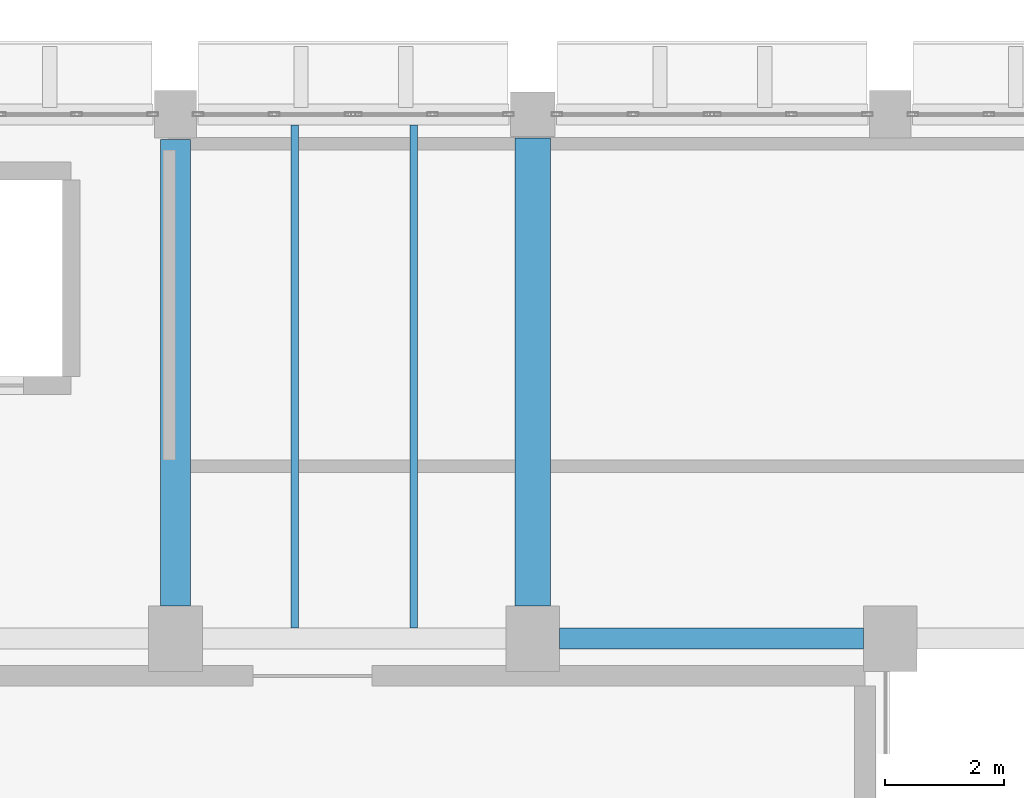
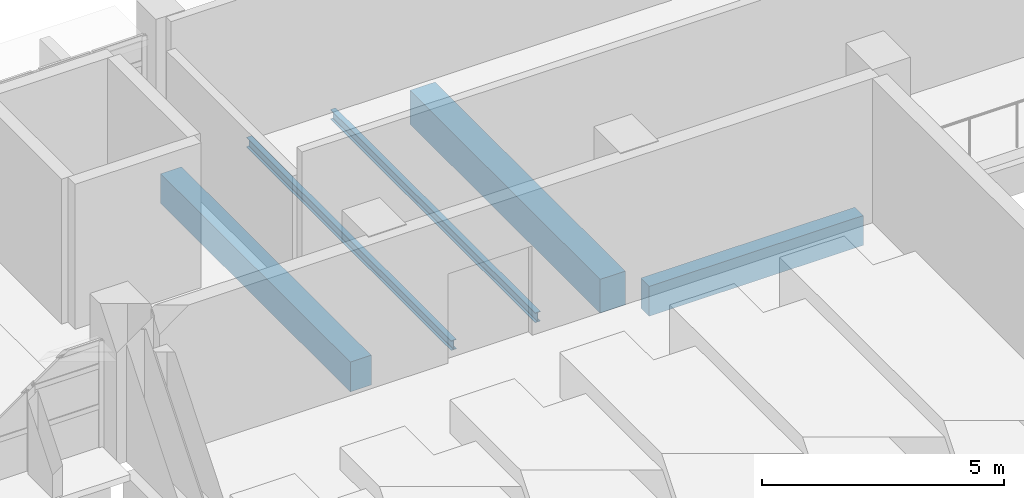
# One storey, part 34 of 80: 5 beams.
"""IFC4 building model written with IfcOpenShell, lengths in metres."""

import ifcopenshell
import ifcopenshell.guid

model = None  # the IFC model being written
_history = None  # IfcOwnerHistory: only IFC2X3 demands one
_inside = {}  # id of a spatial element -> (the spatial element, [elements in it])
_under = {}  # id of a project, library or spatial element -> (it, [spatial elements below it])
_declared = {}  # id of a project -> (the project, [libraries it declares])
_typed = {}  # id of a type object -> (the type object, [elements of that type])
_made_of = {}  # id of a material, layer set ... -> (it, [elements and type objects made of it])


def new_model(schema):
    """Start an empty IFC model of exactly this schema.

    Asked for "IFC4X3", IfcOpenShell would pick the latest addendum, in which some entities
    have other attributes; the version numbers below select the first issue.
    IFC2X3 requires an IfcOwnerHistory on every rooted entity: one is made here for all.
    """
    global model, _history
    if schema == "IFC4X3":
        model = ifcopenshell.file(schema_version=(4, 3, 0, 0))
    else:
        model = ifcopenshell.file(schema=schema)
    _inside.clear()
    _under.clear()
    _declared.clear()
    _typed.clear()
    _made_of.clear()
    _history = None
    if model.schema == "IFC2X3":
        org = make("IfcOrganization", Name="unknown")
        user = make(
            "IfcPersonAndOrganization",
            ThePerson=make("IfcPerson", FamilyName="unknown"),
            TheOrganization=org,
        )
        app = make(
            "IfcApplication",
            ApplicationDeveloper=org,
            Version="unknown",
            ApplicationFullName="unknown",
            ApplicationIdentifier="unknown",
        )
        _history = make(
            "IfcOwnerHistory",
            OwningUser=user,
            OwningApplication=app,
            ChangeAction="ADDED",
            CreationDate=0,
        )
    return model


def make(cls, **values):
    """One entity of the class cls with the attributes given. An attribute that is None is left unset."""
    return model.create_entity(
        cls, **{name: value for name, value in values.items() if value is not None}
    )


def rooted(cls, **values):
    """An entity with a GlobalId (a new one), such as an element, a storey or a relation."""
    return make(cls, GlobalId=ifcopenshell.guid.new(), OwnerHistory=_history, **values)


def si_unit(unit_type, name, prefix=None):
    """IfcSIUnit, for example si_unit("LENGTHUNIT", "METRE", prefix="MILLI")."""
    return make("IfcSIUnit", UnitType=unit_type, Prefix=prefix, Name=name)


def assignment(units):
    """IfcUnitAssignment: the units of a project."""
    return None if units is None else make("IfcUnitAssignment", Units=units)


def point(xyz):
    """IfcCartesianPoint."""
    return None if xyz is None else make("IfcCartesianPoint", Coordinates=xyz)


def direction(xyz):
    """IfcDirection."""
    return None if xyz is None else make("IfcDirection", DirectionRatios=xyz)


def frame(location, z_axis=None, x_axis=None):
    """IfcAxis2Placement3D, a coordinate frame: its origin and axes. An axis left out is left unset."""
    return make(
        "IfcAxis2Placement3D",
        Location=point(location),
        Axis=direction(z_axis),
        RefDirection=direction(x_axis),
    )


def frame_2d(location, x_axis=None):
    """IfcAxis2Placement2D, a coordinate frame in the plane: its origin and x axis."""
    return make(
        "IfcAxis2Placement2D", Location=point(location), RefDirection=direction(x_axis)
    )


def origin():
    """The frame at (0, 0, 0) with its axes left unset."""
    return frame((0.0, 0.0, 0.0))


def origin_2d():
    """The frame at (0, 0) in the plane with its x axis left unset."""
    return frame_2d((0.0, 0.0))


def place(relative_to, where):
    """IfcLocalPlacement: puts the frame where relative to a parent placement (None: the world)."""
    return make(
        "IfcLocalPlacement", PlacementRelTo=relative_to, RelativePlacement=where
    )


def context(
    kind, dimensions, precision=None, world=None, true_north=None, identifier=None
):
    """IfcGeometricRepresentationContext, for example the 3D "Model" context."""
    return make(
        "IfcGeometricRepresentationContext",
        ContextIdentifier=identifier,
        ContextType=kind,
        CoordinateSpaceDimension=dimensions,
        Precision=precision,
        WorldCoordinateSystem=world,
        TrueNorth=true_north,
    )


def subcontext(parent, identifier, kind, view, scale=None):
    """IfcGeometricRepresentationSubContext, for example "Body" below "Model"."""
    return make(
        "IfcGeometricRepresentationSubContext",
        ContextIdentifier=identifier,
        ContextType=kind,
        ParentContext=parent,
        TargetScale=scale,
        TargetView=view,
    )


def project(units=None, contexts=None):
    """IfcProject with its units and contexts."""
    return rooted(
        "IfcProject",
        Name="project",
        RepresentationContexts=contexts,
        UnitsInContext=assignment(units),
    )


def spatial(cls, under=None, at=None, **own):
    """A site, building, storey or space (cls), placed at a placement, below another one or the project."""
    s = rooted(cls, ObjectPlacement=at, **own)
    if under is not None:
        _under.setdefault(under.id(), (under, []))[1].append(s)
    return s


def profile(cls, at=None, kind="AREA", **sizes):
    """A parametric profile (cls). Its sizes go by their IFC names, for example OverallWidth=200.0."""
    return make(cls, ProfileType=kind, Position=at, **sizes)


def rectangle(**sizes):
    """IfcRectangleProfileDef."""
    return profile("IfcRectangleProfileDef", **sizes)


def i_section(**sizes):
    """IfcIShapeProfileDef."""
    return profile("IfcIShapeProfileDef", **sizes)


def extrude(swept, where, along, depth):
    """IfcExtrudedAreaSolid: the profile swept, set in the frame where, extruded along a direction by depth."""
    return make(
        "IfcExtrudedAreaSolid",
        SweptArea=swept,
        Position=where,
        ExtrudedDirection=direction(along),
        Depth=depth,
    )


def shape(context_of_items, identifier, shape_type, items):
    """IfcShapeRepresentation: the items that make up one representation, for example the "Body"."""
    return make(
        "IfcShapeRepresentation",
        ContextOfItems=context_of_items,
        RepresentationIdentifier=identifier,
        RepresentationType=shape_type,
        Items=items,
    )


def material(Name=None, Category=None):
    """IfcMaterial."""
    return make("IfcMaterial", Name=Name, Category=Category)


def material_profile(
    of_material, cross_section, Name=None, Category=None, Priority=None
):
    """IfcMaterialProfile: a cross section and its material."""
    return make(
        "IfcMaterialProfile",
        Name=Name,
        Material=of_material,
        Profile=cross_section,
        Priority=Priority,
        Category=Category,
    )


def profile_set(profiles, Name=None, composite=None):
    """IfcMaterialProfileSet."""
    return make(
        "IfcMaterialProfileSet",
        Name=Name,
        MaterialProfiles=profiles,
        CompositeProfile=composite,
    )


def made_of(thing, what):
    """Note that an element or type object is made of a material, layer set ...; save() writes the relation."""
    if what is not None:
        _made_of.setdefault(what.id(), (what, []))[1].append(thing)
    return thing


def type_object(cls, material=None, **own):
    """A type object (cls), such as IfcWallType, which elements share."""
    return made_of(rooted(cls, **own), material)


def element(
    cls,
    number,
    at=None,
    inside=None,
    cuts=None,
    type_object=None,
    material=None,
    context=None,
    identifier="Body",
    shape_type=None,
    held_by="IfcProductDefinitionShape",
    body=None,
    shapes=None,
    **own,
):
    """One element of the class cls, such as IfcWall. Its Tag is "e" and its number.

    at: its placement. inside: the storey or other place that contains it. cuts: it is an
    opening in that element (IfcRelVoidsElement). A single representation is given by context,
    identifier, shape_type and body (its items); several are given by shapes. held_by: the class
    of the entity that holds the representations. save() writes the other relations.
    """
    e = rooted(cls, Tag="e%d" % number, ObjectPlacement=at, **own)
    if body is not None:
        shapes = [shape(context, identifier, shape_type, body)]
    if shapes is not None:
        e.Representation = make(held_by, Representations=shapes)
    if inside is not None:
        _inside.setdefault(inside.id(), (inside, []))[1].append(e)
    if cuts is not None:
        rooted(
            "IfcRelVoidsElement", RelatingBuildingElement=cuts, RelatedOpeningElement=e
        )
    if type_object is not None:
        _typed.setdefault(type_object.id(), (type_object, []))[1].append(e)
    return made_of(e, material)


def aggregate(whole, parts):
    """IfcRelAggregates: a whole, such as a stair, and the parts it consists of."""
    return rooted("IfcRelAggregates", RelatingObject=whole, RelatedObjects=parts)


def save(model, path):
    """Write the relations noted so far, then the file.

    IfcRelAggregates (storeys below a building ...), IfcRelContainedInSpatialStructure (elements
    in a storey), IfcRelDefinesByType, IfcRelAssociatesMaterial and IfcRelDeclares: one each for
    every whole, place, type object, material and project.
    """
    for whole, parts in _under.values():
        aggregate(whole, parts)
    for where, things in _inside.values():
        rooted(
            "IfcRelContainedInSpatialStructure",
            RelatedElements=things,
            RelatingStructure=where,
        )
    for kind, things in _typed.values():
        rooted("IfcRelDefinesByType", RelatedObjects=things, RelatingType=kind)
    for what, things in _made_of.values():
        rooted("IfcRelAssociatesMaterial", RelatedObjects=things, RelatingMaterial=what)
    for by, libraries in _declared.values():
        rooted("IfcRelDeclares", RelatingContext=by, RelatedDefinitions=libraries)
    model.write(path)


model = new_model("IFC4")

# Units and contexts
model_context = context("Model", 3, precision=1e-05, world=origin(), true_north=direction((0.0, 1.0)))
body_context = subcontext(model_context, "Body", "Model", "MODEL_VIEW")
ifc_project = project(units=[si_unit("LENGTHUNIT", "METRE"), si_unit("AREAUNIT", "SQUARE_METRE"), si_unit("VOLUMEUNIT", "CUBIC_METRE"), si_unit("PLANEANGLEUNIT", "RADIAN"), si_unit("MASSUNIT", "GRAM", prefix="KILO")], contexts=[model_context])

# Site, building, storey
site_placement = place(None, origin())
site = spatial("IfcSite", under=ifc_project, at=site_placement, CompositionType="ELEMENT")
building_placement = place(site_placement, origin())
building = spatial("IfcBuilding", under=site, at=building_placement, Name="Varnakota Cinema and Media Centre", CompositionType="ELEMENT")
storey_placement = place(building_placement, frame((0.0, 0.0, 4.5)))
storey = spatial("IfcBuildingStorey", under=building, at=storey_placement, Name="L01", CompositionType="ELEMENT", Elevation=4.5)

# Beams
ifc_material_1 = material(Name="Concrete M35", Category="concrete")
ifc_material_profile_1 = material_profile(ifc_material_1, rectangle(XDim=0.5, YDim=0.75, at=origin_2d()), Name="RCB 500x750")
ifc_profile_set_1 = profile_set([ifc_material_profile_1], Name="Concrete M35")
beam_type_1 = type_object("IfcBeamType", Name="BM-RC-500x750", PredefinedType="BEAM", material=ifc_profile_set_1)
beam_1_placement = place(storey_placement, frame((81.0, 35.75, -0.625), z_axis=(0.0, 1.0, 0.0), x_axis=(-1.0, 0.0, 0.0)))
element("IfcBeam", 1, at=beam_1_placement, inside=storey, type_object=beam_type_1, Name="L01 girder L/5-6", PredefinedType="BEAM", context=body_context, shape_type="SweptSolid", body=[
    extrude(rectangle(XDim=0.5, YDim=0.75, at=origin_2d()), origin(), (0.0, 0.0, 1.0), 7.824951171875),
])
ifc_material_2 = material(Name="Concrete M35", Category="concrete")
ifc_material_profile_2 = material_profile(ifc_material_2, rectangle(XDim=0.60009765625, YDim=0.85009765625, at=origin_2d()), Name="RCB 600x850")
ifc_profile_set_2 = profile_set([ifc_material_profile_2], Name="Concrete M35")
beam_type_2 = type_object("IfcBeamType", Name="BM-RC-600x850", PredefinedType="BEAM", material=ifc_profile_set_2)
beam_2_placement = place(storey_placement, frame((87.0, 35.75, -0.675048828125), z_axis=(0.0, 1.0, 0.0), x_axis=(-1.0, 0.0, 0.0)))
element("IfcBeam", 2, at=beam_2_placement, inside=storey, type_object=beam_type_2, Name="L01 girder M/5-6", PredefinedType="BEAM", context=body_context, shape_type="SweptSolid", body=[
    extrude(rectangle(XDim=0.60009765625, YDim=0.85009765625, at=origin_2d()), origin(), (0.0, 0.0, 1.0), 7.85009765625),
])
ifc_material_3 = material(Name="Concrete M40", Category="concrete")
ifc_material_profile_3 = material_profile(ifc_material_3, rectangle(XDim=0.35009765625, YDim=0.75, at=origin_2d()), Name="RCB 350x750")
ifc_profile_set_3 = profile_set([ifc_material_profile_3], Name="Concrete M40")
beam_type_3 = type_object("IfcBeamType", Name="BM-SP-350x750", PredefinedType="SPANDREL", material=ifc_profile_set_3)
beam_3_placement = place(storey_placement, frame((87.449951171875, 35.199951171875, -0.625), z_axis=(1.0, 0.0, 0.0), x_axis=(0.0, 1.0, 0.0)))
element("IfcBeam", 3, at=beam_3_placement, inside=storey, type_object=beam_type_3, Name="L01 girder M-N/5", PredefinedType="SPANDREL", context=body_context, shape_type="SweptSolid", body=[
    extrude(rectangle(XDim=0.35009765625, YDim=0.75, at=origin_2d()), origin(), (0.0, 0.0, 1.0), 5.10009765625),
])
ifc_material_4 = material(Name="Structural steel Grade 350 (E350)", Category="steel")
ifc_material_profile_4 = material_profile(ifc_material_4, i_section(OverallWidth=0.125, OverallDepth=0.25, WebThickness=0.0068359375, FlangeThickness=0.012451171875, FilletRadius=0.012939453125, at=origin_2d()), Name="ISMB 250")
ifc_profile_set_4 = profile_set([ifc_material_profile_4], Name="Structural steel Grade 350 (E350)")
beam_type_4 = type_object("IfcBeamType", Name="BM-ST-ISMB250", PredefinedType="JOIST", material=ifc_profile_set_4)
for number, where, z_axis, x_axis, name in (
    (4, (83.0, 35.375, -0.375), (0.0, 1.0, 0.0), (-1.0, 0.0, 0.0), "L01 steel joist L-M/5-6 #1"),
    (5, (85.0, 35.375, -0.375), (0.0, 1.0, 0.0), (-1.0, 0.0, 0.0), "L01 steel joist L-M/5-6 #2"),
):
    element("IfcBeam", number, at=place(storey_placement, frame(where, z_axis=z_axis, x_axis=x_axis)), inside=storey, type_object=beam_type_4, Name=name, PredefinedType="JOIST", context=body_context, shape_type="SweptSolid", body=[
        extrude(i_section(OverallWidth=0.125, OverallDepth=0.25, WebThickness=0.0068359375, FlangeThickness=0.012451171875, FilletRadius=0.012939453125, at=origin_2d()), origin(), (0.0, 0.0, 1.0), 8.449951171875),
    ])

save(model, "model.ifc")
